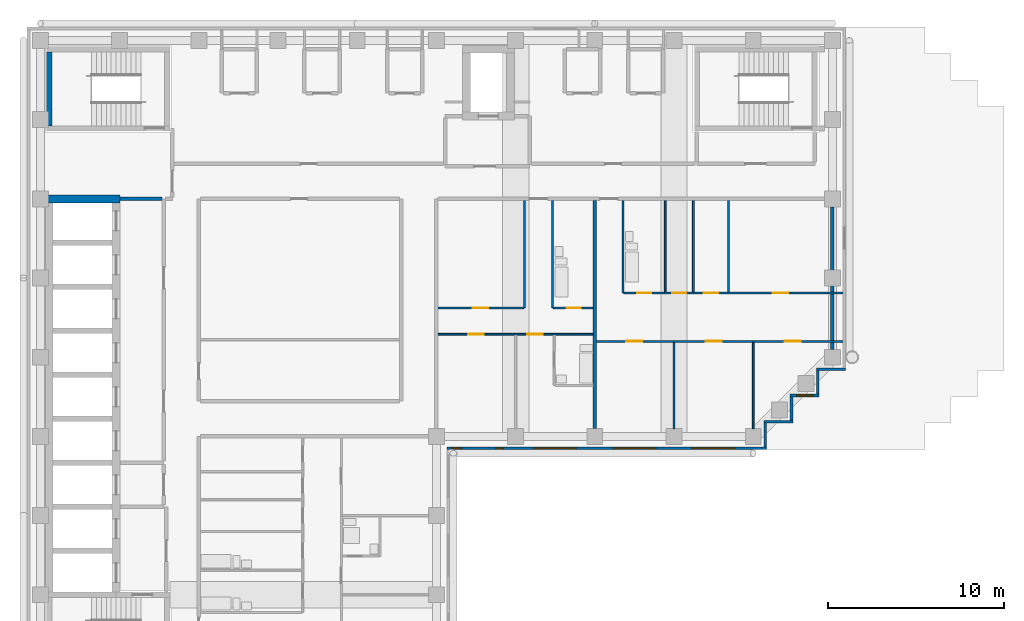
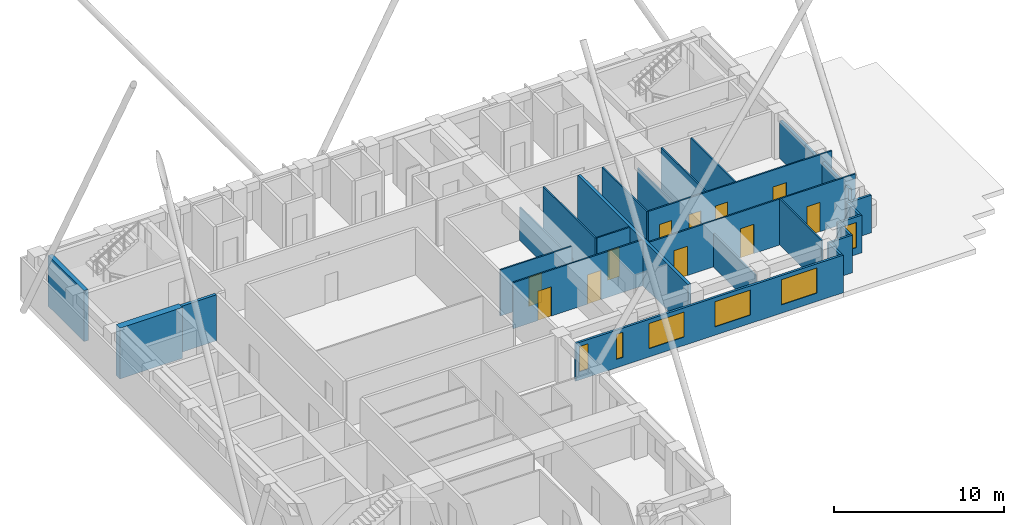
# One storey, part 4 of 8: 25 walls, 11 doors, 6 windows, 17 openings.
"""IFC4 building model written with IfcOpenShell, lengths in metres."""

from ifc_helpers import new_model, si_unit, direction, frame, frame_2d, origin, place, context, subcontext, project, spatial, rectangle, extrude, material, layer, layer_set, type_object, element, fill, save


model = new_model("IFC4")

# Units and contexts
model_context = context("Model", 3, precision=1e-05, world=origin(), true_north=direction((0.0, 1.0)))
body_context = subcontext(model_context, "Body", "Model", "MODEL_VIEW")
ifc_project = project(units=[si_unit("LENGTHUNIT", "METRE"), si_unit("AREAUNIT", "SQUARE_METRE"), si_unit("VOLUMEUNIT", "CUBIC_METRE"), si_unit("PLANEANGLEUNIT", "RADIAN"), si_unit("MASSUNIT", "GRAM", prefix="KILO")], contexts=[model_context])

# Site, building, storey
site_placement = place(None, origin())
site = spatial("IfcSite", under=ifc_project, at=site_placement, CompositionType="ELEMENT")
building_placement = place(site_placement, origin())
building = spatial("IfcBuilding", under=site, at=building_placement, Name="Firuza Court", CompositionType="ELEMENT")
storey_placement = place(building_placement, frame((0.0, 0.0, 233.0)))
storey = spatial("IfcBuildingStorey", under=building, at=storey_placement, Name="L60", CompositionType="ELEMENT", Elevation=233.0)

# Walls
ifc_material_1 = material(Name="Moisture-resistant gypsum board partition")
ifc_layer_1 = layer(ifc_material_1, 0.10009765625)
ifc_layer_set_1 = layer_set([ifc_layer_1], Name="Moisture-resistant gypsum board partition")
wall_type_1 = type_object("IfcWallType", Name="Bathroom partition 100", PredefinedType="PLUMBINGWALL", material=ifc_layer_set_1)
wall_1_placement = place(storey_placement, frame((29.10009765625, 43.300048828125, 0.0), z_axis=(0.0, 0.0, 1.0), x_axis=(0.0, 1.0, 0.0)))
element("IfcWall", 1, at=wall_1_placement, inside=storey, type_object=wall_type_1, Name="Bathroom partition 100 L60", PredefinedType="PLUMBINGWALL", context=body_context, shape_type="SweptSolid", body=[
    extrude(rectangle(XDim=6.099853515625, YDim=0.10009765625, at=frame_2d((3.0498046875, 0.0))), origin(), (0.0, 0.0, 1.0), 3.300048828125),
])
wall_2_placement = place(storey_placement, frame((33.10009765625, 44.14990234375, 0.0), z_axis=(0.0, 0.0, 1.0), x_axis=(0.0, 1.0, 0.0)))
element("IfcWall", 2, at=wall_2_placement, inside=storey, type_object=wall_type_1, Name="Bathroom partition 100 L60", PredefinedType="PLUMBINGWALL", context=body_context, shape_type="SweptSolid", body=[
    extrude(rectangle(XDim=5.25, YDim=0.10009765625, at=frame_2d((2.625, 0.0))), origin(), (0.0, 0.0, 1.0), 3.300048828125),
])
wall_3_placement = place(storey_placement, frame((35.5, 44.199951171875, 0.0), z_axis=(0.0, 0.0, 1.0), x_axis=(0.0, 1.0, 0.0)))
element("IfcWall", 3, at=wall_3_placement, inside=storey, type_object=wall_type_1, Name="Bathroom partition 100 L60", PredefinedType="PLUMBINGWALL", context=body_context, shape_type="SweptSolid", body=[
    extrude(rectangle(XDim=5.199951171875, YDim=0.10009765625, at=frame_2d((2.60009765625, 0.0))), origin(), (0.0, 0.0, 1.0), 2.39990234375),
])
ifc_material_2 = material(Name="Concrete C50/60", Category="concrete")
ifc_layer_2 = layer(ifc_material_2, 0.300048828125)
ifc_layer_set_2 = layer_set([ifc_layer_2], Name="Concrete C50/60")
wall_type_2 = type_object("IfcWallType", Name="Core wall 300 C50/60", PredefinedType="SHEAR", material=ifc_layer_set_2)
wall_4_placement = place(storey_placement, frame((0.5, 53.64990234375, -0.35009765625), z_axis=(0.0, 0.0, 1.0), x_axis=(0.0, 1.0, 0.0)))
element("IfcWall", 4, at=wall_4_placement, inside=storey, type_object=wall_type_2, Name="Core wall stair L60", PredefinedType="SHEAR", context=body_context, shape_type="SweptSolid", body=[
    extrude(rectangle(XDim=4.2001953125, YDim=0.300048828125, at=frame_2d((2.10009765625, 0.0))), origin(), (0.0, 0.0, 1.0), 3.650146484375),
])
ifc_layer_3 = layer(ifc_material_2, 0.449951171875)
ifc_layer_set_3 = layer_set([ifc_layer_3], Name="Concrete C50/60")
wall_type_3 = type_object("IfcWallType", Name="Core wall 450 C50/60", PredefinedType="SHEAR", material=ifc_layer_set_3)
wall_5_placement = place(storey_placement, frame((0.27490234375, 49.5, -0.35009765625), z_axis=(0.0, 0.0, 1.0), x_axis=(1.0, 0.0, 0.0)))
element("IfcWall", 5, at=wall_5_placement, inside=storey, type_object=wall_type_3, Name="Core wall lift shaft L60", PredefinedType="SHEAR", context=body_context, shape_type="SweptSolid", body=[
    extrude(rectangle(XDim=4.25, YDim=0.449951171875, at=frame_2d((2.125, 0.0))), origin(), (0.0, 0.0, 1.0), 3.650146484375),
])
ifc_material_3 = material(Name="Timber stud partition, plasterboard both sides", Category="wood")
ifc_layer_4 = layer(ifc_material_3, 0.10009765625)
ifc_layer_set_4 = layer_set([ifc_layer_4], Name="Timber stud partition, plasterboard both sides")
wall_type_4 = type_object("IfcWallType", Name="Partition wall 100", PredefinedType="PARTITIONING", material=ifc_layer_set_4)
wall_6_placement = place(storey_placement, frame((36.0, 36.449951171875, 0.0), z_axis=(0.0, 0.0, 1.0), x_axis=(0.0, 1.0, 0.0)))
element("IfcWall", 6, at=wall_6_placement, inside=storey, type_object=wall_type_4, Name="Partition wall 100 L60", PredefinedType="PARTITIONING", context=body_context, shape_type="SweptSolid", body=[
    extrude(rectangle(XDim=4.900146484375, YDim=0.10009765625, at=frame_2d((2.4501953125, 0.0))), origin(), (0.0, 0.0, 1.0), 2.39990234375),
])
wall_7_placement = place(storey_placement, frame((40.5, 36.449951171875, 0.0), z_axis=(0.0, 0.0, 1.0), x_axis=(0.0, 1.0, 0.0)))
element("IfcWall", 7, at=wall_7_placement, inside=storey, type_object=wall_type_4, Name="Partition wall 100 L60", PredefinedType="PARTITIONING", context=body_context, shape_type="SweptSolid", body=[
    extrude(rectangle(XDim=4.900146484375, YDim=0.10009765625, at=frame_2d((2.4501953125, 0.0))), origin(), (0.0, 0.0, 1.0), 3.300048828125),
])

# Wall, openings, doors
wall_8_placement = place(storey_placement, frame((31.60009765625, 41.39990234375, 0.0), z_axis=(0.0, 0.0, 1.0), x_axis=(1.0, 0.0, 0.0)))
wall_8 = element("IfcWall", 8, at=wall_8_placement, inside=storey, type_object=wall_type_4, Name="Partition wall 100 L60", PredefinedType="PARTITIONING", context=body_context, shape_type="SweptSolid", body=[
    extrude(rectangle(XDim=14.0, YDim=0.10009765625, at=frame_2d((7.0, 0.0))), origin(), (0.0, 0.0, 1.0), 3.300048828125),
])
opening_1_placement = place(wall_8_placement, frame((1.699951171875, 0.0, 0.0)))
opening_1 = element("IfcOpeningElement", 9, at=opening_1_placement, cuts=wall_8, Name="Opening D60026", PredefinedType="OPENING", context=body_context, shape_type="SweptSolid", body=[
    extrude(rectangle(XDim=0.89990234375, YDim=2.10009765625, at=frame_2d((0.449951171875, 1.050048828125))), frame((0.0, 0.06201171875, 0.0), z_axis=(0.0, -1.0, 0.0), x_axis=(1.0, 0.0, 0.0)), (0.0, 0.0, 1.0), 0.1240234375),
])
opening_2_placement = place(wall_8_placement, frame((6.199951171875, 0.0, 0.0)))
opening_2 = element("IfcOpeningElement", 10, at=opening_2_placement, cuts=wall_8, Name="Opening D60027", PredefinedType="OPENING", context=body_context, shape_type="SweptSolid", body=[
    extrude(rectangle(XDim=0.89990234375, YDim=2.10009765625, at=frame_2d((0.449951171875, 1.050048828125))), frame((0.0, 0.06201171875, 0.0), z_axis=(0.0, -1.0, 0.0), x_axis=(1.0, 0.0, 0.0)), (0.0, 0.0, 1.0), 0.1240234375),
])
opening_3_placement = place(wall_8_placement, frame((10.699951171875, 0.0, 0.0)))
opening_3 = element("IfcOpeningElement", 11, at=opening_3_placement, cuts=wall_8, Name="Opening D60028", PredefinedType="OPENING", context=body_context, shape_type="SweptSolid", body=[
    extrude(rectangle(XDim=0.89990234375, YDim=2.10009765625, at=frame_2d((0.449951171875, 1.050048828125))), frame((0.0, 0.06201171875, 0.0), z_axis=(0.0, -1.0, 0.0), x_axis=(1.0, 0.0, 0.0)), (0.0, 0.0, 1.0), 0.1240234375),
])
ifc_material_4 = material(Name="Timber door leaf in hardwood frame", Category="wood")
door_type_1 = type_object("IfcDoorType", Name="Room door 900", OperationType="SINGLE_SWING_LEFT", PredefinedType="DOOR", material=ifc_material_4)
door_1_placement = place(opening_1_placement, frame((0.89990234375, 0.0, 0.0), z_axis=(0.0, 0.0, 1.0), x_axis=(-1.0, 0.0, 0.0)))
door_1 = element("IfcDoor", 12, at=door_1_placement, inside=storey, type_object=door_type_1, Name="Living room door", OperationType="SINGLE_SWING_RIGHT", OverallHeight=2.10009765625, OverallWidth=0.89990234375, PredefinedType="DOOR", context=body_context, shape_type="SweptSolid", body=[
    extrude(rectangle(XDim=0.89990234375, YDim=2.10009765625, at=frame_2d((0.449951171875, 1.050048828125))), frame((0.0, 0.02490234375, 0.0), z_axis=(0.0, -1.0, 0.0), x_axis=(1.0, 0.0, 0.0)), (0.0, 0.0, 1.0), 0.050048828125),
])
fill(opening_1, door_1)
door_2_placement = place(opening_2_placement, frame((0.89990234375, 0.0, 0.0), z_axis=(0.0, 0.0, 1.0), x_axis=(-1.0, 0.0, 0.0)))
door_2 = element("IfcDoor", 13, at=door_2_placement, inside=storey, type_object=door_type_1, Name="Bedroom door", OperationType="SINGLE_SWING_RIGHT", OverallHeight=2.10009765625, OverallWidth=0.89990234375, PredefinedType="DOOR", context=body_context, shape_type="SweptSolid", body=[
    extrude(rectangle(XDim=0.89990234375, YDim=2.10009765625, at=frame_2d((0.449951171875, 1.050048828125))), frame((0.0, 0.02490234375, 0.0), z_axis=(0.0, -1.0, 0.0), x_axis=(1.0, 0.0, 0.0)), (0.0, 0.0, 1.0), 0.050048828125),
])
fill(opening_2, door_2)
door_3_placement = place(opening_3_placement, frame((0.89990234375, 0.0, 0.0), z_axis=(0.0, 0.0, 1.0), x_axis=(-1.0, 0.0, 0.0)))
door_3 = element("IfcDoor", 14, at=door_3_placement, inside=storey, type_object=door_type_1, Name="Study door", OperationType="SINGLE_SWING_RIGHT", OverallHeight=2.10009765625, OverallWidth=0.89990234375, PredefinedType="DOOR", context=body_context, shape_type="SweptSolid", body=[
    extrude(rectangle(XDim=0.89990234375, YDim=2.10009765625, at=frame_2d((0.449951171875, 1.050048828125))), frame((0.0, 0.02490234375, 0.0), z_axis=(0.0, -1.0, 0.0), x_axis=(1.0, 0.0, 0.0)), (0.0, 0.0, 1.0), 0.050048828125),
])
fill(opening_3, door_3)

wall_9_placement = place(storey_placement, frame((22.60009765625, 41.800048828125, 0.0), z_axis=(0.0, 0.0, 1.0), x_axis=(1.0, 0.0, 0.0)))
wall_9 = element("IfcWall", 15, at=wall_9_placement, inside=storey, type_object=wall_type_4, Name="Partition wall 100 L60", PredefinedType="PARTITIONING", context=body_context, shape_type="SweptSolid", body=[
    extrude(rectangle(XDim=8.7998046875, YDim=0.10009765625, at=frame_2d((4.39990234375, 0.0))), origin(), (0.0, 0.0, 1.0), 3.300048828125),
])
opening_4_placement = place(wall_9_placement, frame((1.699951171875, 0.0, 0.0)))
opening_4 = element("IfcOpeningElement", 16, at=opening_4_placement, cuts=wall_9, Name="Opening D60029", PredefinedType="OPENING", context=body_context, shape_type="SweptSolid", body=[
    extrude(rectangle(XDim=0.89990234375, YDim=2.10009765625, at=frame_2d((0.449951171875, 1.050048828125))), frame((0.0, 0.06201171875, 0.0), z_axis=(0.0, -1.0, 0.0), x_axis=(1.0, 0.0, 0.0)), (0.0, 0.0, 1.0), 0.1240234375),
])
opening_5_placement = place(wall_9_placement, frame((5.050048828125, 0.0, 0.0)))
opening_5 = element("IfcOpeningElement", 17, at=opening_5_placement, cuts=wall_9, Name="Opening D60030", PredefinedType="OPENING", context=body_context, shape_type="SweptSolid", body=[
    extrude(rectangle(XDim=0.89990234375, YDim=2.10009765625, at=frame_2d((0.449951171875, 1.050048828125))), frame((0.0, 0.06201171875, 0.0), z_axis=(0.0, -1.0, 0.0), x_axis=(1.0, 0.0, 0.0)), (0.0, 0.0, 1.0), 0.1240234375),
])
door_4_placement = place(opening_4_placement, frame((0.89990234375, 0.0, 0.0), z_axis=(0.0, 0.0, 1.0), x_axis=(-1.0, 0.0, 0.0)))
door_4 = element("IfcDoor", 18, at=door_4_placement, inside=storey, type_object=door_type_1, Name="Living room door", OperationType="SINGLE_SWING_RIGHT", OverallHeight=2.10009765625, OverallWidth=0.89990234375, PredefinedType="DOOR", context=body_context, shape_type="SweptSolid", body=[
    extrude(rectangle(XDim=0.89990234375, YDim=2.10009765625, at=frame_2d((0.449951171875, 1.050048828125))), frame((0.0, 0.02490234375, 0.0), z_axis=(0.0, -1.0, 0.0), x_axis=(1.0, 0.0, 0.0)), (0.0, 0.0, 1.0), 0.050048828125),
])
fill(opening_4, door_4)
door_5_placement = place(opening_5_placement, frame((0.89990234375, 0.0, 0.0), z_axis=(0.0, 0.0, 1.0), x_axis=(-1.0, 0.0, 0.0)))
door_5 = element("IfcDoor", 19, at=door_5_placement, inside=storey, type_object=door_type_1, Name="Bedroom door", OperationType="SINGLE_SWING_RIGHT", OverallHeight=2.10009765625, OverallWidth=0.89990234375, PredefinedType="DOOR", context=body_context, shape_type="SweptSolid", body=[
    extrude(rectangle(XDim=0.89990234375, YDim=2.10009765625, at=frame_2d((0.449951171875, 1.050048828125))), frame((0.0, 0.02490234375, 0.0), z_axis=(0.0, -1.0, 0.0), x_axis=(1.0, 0.0, 0.0)), (0.0, 0.0, 1.0), 0.050048828125),
])
fill(opening_5, door_5)

# Wall, opening, door
wall_10_placement = place(storey_placement, frame((22.60009765625, 43.300048828125, 0.0), z_axis=(0.0, 0.0, 1.0), x_axis=(1.0, 0.0, 0.0)))
wall_10 = element("IfcWall", 20, at=wall_10_placement, inside=storey, type_object=wall_type_4, Name="Partition wall 100 L60", PredefinedType="PARTITIONING", context=body_context, shape_type="SweptSolid", body=[
    extrude(rectangle(XDim=4.849853515625, YDim=0.10009765625, at=frame_2d((2.4248046875, 0.0))), origin(), (0.0, 0.0, 1.0), 3.300048828125),
])
opening_6_placement = place(wall_10_placement, frame((1.949951171875, 0.0, 0.0)))
opening_6 = element("IfcOpeningElement", 21, at=opening_6_placement, cuts=wall_10, Name="Opening D60031", PredefinedType="OPENING", context=body_context, shape_type="SweptSolid", body=[
    extrude(rectangle(XDim=0.89990234375, YDim=2.10009765625, at=frame_2d((0.449951171875, 1.050048828125))), frame((0.0, 0.06201171875, 0.0), z_axis=(0.0, -1.0, 0.0), x_axis=(1.0, 0.0, 0.0)), (0.0, 0.0, 1.0), 0.1240234375),
])
door_6_placement = place(opening_6_placement, origin())
door_6 = element("IfcDoor", 22, at=door_6_placement, inside=storey, type_object=door_type_1, Name="Kitchen door", OperationType="SINGLE_SWING_LEFT", OverallHeight=2.10009765625, OverallWidth=0.89990234375, PredefinedType="DOOR", context=body_context, shape_type="SweptSolid", body=[
    extrude(rectangle(XDim=0.89990234375, YDim=2.10009765625, at=frame_2d((0.449951171875, 1.050048828125))), frame((0.0, 0.02490234375, 0.0), z_axis=(0.0, -1.0, 0.0), x_axis=(1.0, 0.0, 0.0)), (0.0, 0.0, 1.0), 0.050048828125),
])
fill(opening_6, door_6)

# Wall
wall_11_placement = place(storey_placement, frame((27.5, 43.300048828125, 0.0), z_axis=(0.0, 0.0, 1.0), x_axis=(0.0, 1.0, 0.0)))
element("IfcWall", 23, at=wall_11_placement, inside=storey, type_object=wall_type_4, Name="Partition wall 100 L60", PredefinedType="PARTITIONING", context=body_context, shape_type="SweptSolid", body=[
    extrude(rectangle(XDim=6.099853515625, YDim=0.10009765625, at=frame_2d((3.0498046875, 0.0))), origin(), (0.0, 0.0, 1.0), 2.39990234375),
])

# Wall, opening, door
wall_12_placement = place(storey_placement, frame((29.14990234375, 43.300048828125, 0.0), z_axis=(0.0, 0.0, 1.0), x_axis=(1.0, 0.0, 0.0)))
wall_12 = element("IfcWall", 24, at=wall_12_placement, inside=storey, type_object=wall_type_4, Name="Partition wall 100 L60", PredefinedType="PARTITIONING", context=body_context, shape_type="SweptSolid", body=[
    extrude(rectangle(XDim=2.25, YDim=0.10009765625, at=frame_2d((1.125, 0.0))), origin(), (0.0, 0.0, 1.0), 3.300048828125),
])
opening_7_placement = place(wall_12_placement, frame((0.75, 0.0, 0.0)))
opening_7 = element("IfcOpeningElement", 25, at=opening_7_placement, cuts=wall_12, Name="Opening D60032", PredefinedType="OPENING", context=body_context, shape_type="SweptSolid", body=[
    extrude(rectangle(XDim=0.800048828125, YDim=2.10009765625, at=frame_2d((0.39990234375, 1.050048828125))), frame((0.0, 0.06201171875, 0.0), z_axis=(0.0, -1.0, 0.0), x_axis=(1.0, 0.0, 0.0)), (0.0, 0.0, 1.0), 0.1240234375),
])
ifc_material_5 = material(Name="Timber door leaf in hardwood frame", Category="wood")
door_type_2 = type_object("IfcDoorType", Name="Bathroom door 800", OperationType="SINGLE_SWING_LEFT", PredefinedType="DOOR", material=ifc_material_5)
door_7_placement = place(opening_7_placement, origin())
door_7 = element("IfcDoor", 26, at=door_7_placement, inside=storey, type_object=door_type_2, Name="Bathroom door", OperationType="SINGLE_SWING_LEFT", OverallHeight=2.10009765625, OverallWidth=0.800048828125, PredefinedType="DOOR", context=body_context, shape_type="SweptSolid", body=[
    extrude(rectangle(XDim=0.800048828125, YDim=2.10009765625, at=frame_2d((0.39990234375, 1.050048828125))), frame((0.0, 0.02490234375, 0.0), z_axis=(0.0, -1.0, 0.0), x_axis=(1.0, 0.0, 0.0)), (0.0, 0.0, 1.0), 0.050048828125),
])
fill(opening_7, door_7)

# Wall, openings, doors
wall_13_placement = place(storey_placement, frame((33.14990234375, 44.14990234375, 0.0), z_axis=(0.0, 0.0, 1.0), x_axis=(1.0, 0.0, 0.0)))
wall_13 = element("IfcWall", 27, at=wall_13_placement, inside=storey, type_object=wall_type_4, Name="Partition wall 100 L60", PredefinedType="PARTITIONING", context=body_context, shape_type="SweptSolid", body=[
    extrude(rectangle(XDim=12.4501953125, YDim=0.10009765625, at=frame_2d((6.22509765625, 0.0))), origin(), (0.0, 0.0, 1.0), 3.300048828125),
])
opening_8_placement = place(wall_13_placement, frame((0.75, 0.0, 0.0)))
opening_8 = element("IfcOpeningElement", 28, at=opening_8_placement, cuts=wall_13, Name="Opening D60033", PredefinedType="OPENING", context=body_context, shape_type="SweptSolid", body=[
    extrude(rectangle(XDim=0.800048828125, YDim=2.10009765625, at=frame_2d((0.39990234375, 1.050048828125))), frame((0.0, 0.06201171875, 0.0), z_axis=(0.0, -1.0, 0.0), x_axis=(1.0, 0.0, 0.0)), (0.0, 0.0, 1.0), 0.1240234375),
])
opening_9_placement = place(wall_13_placement, frame((8.449951171875, 0.0, 0.0)))
opening_9 = element("IfcOpeningElement", 29, at=opening_9_placement, cuts=wall_13, Name="Opening D60034", PredefinedType="OPENING", context=body_context, shape_type="SweptSolid", body=[
    extrude(rectangle(XDim=0.89990234375, YDim=2.10009765625, at=frame_2d((0.449951171875, 1.050048828125))), frame((0.0, 0.06201171875, 0.0), z_axis=(0.0, -1.0, 0.0), x_axis=(1.0, 0.0, 0.0)), (0.0, 0.0, 1.0), 0.1240234375),
])
opening_10_placement = place(wall_13_placement, frame((2.75, 0.0, 0.0)))
opening_10 = element("IfcOpeningElement", 30, at=opening_10_placement, cuts=wall_13, Name="Opening D60035", PredefinedType="OPENING", context=body_context, shape_type="SweptSolid", body=[
    extrude(rectangle(XDim=0.800048828125, YDim=2.10009765625, at=frame_2d((0.39990234375, 1.050048828125))), frame((0.0, 0.06201171875, 0.0), z_axis=(0.0, -1.0, 0.0), x_axis=(1.0, 0.0, 0.0)), (0.0, 0.0, 1.0), 0.1240234375),
])
opening_11_placement = place(wall_13_placement, frame((4.550048828125, 0.0, 0.0)))
opening_11 = element("IfcOpeningElement", 31, at=opening_11_placement, cuts=wall_13, Name="Opening D60036", PredefinedType="OPENING", context=body_context, shape_type="SweptSolid", body=[
    extrude(rectangle(XDim=0.800048828125, YDim=2.10009765625, at=frame_2d((0.39990234375, 1.050048828125))), frame((0.0, 0.06201171875, 0.0), z_axis=(0.0, -1.0, 0.0), x_axis=(1.0, 0.0, 0.0)), (0.0, 0.0, 1.0), 0.1240234375),
])
door_8_placement = place(opening_8_placement, origin())
door_8 = element("IfcDoor", 32, at=door_8_placement, inside=storey, type_object=door_type_2, Name="Bathroom door", OperationType="SINGLE_SWING_LEFT", OverallHeight=2.10009765625, OverallWidth=0.800048828125, PredefinedType="DOOR", context=body_context, shape_type="SweptSolid", body=[
    extrude(rectangle(XDim=0.800048828125, YDim=2.10009765625, at=frame_2d((0.39990234375, 1.050048828125))), frame((0.0, 0.02490234375, 0.0), z_axis=(0.0, -1.0, 0.0), x_axis=(1.0, 0.0, 0.0)), (0.0, 0.0, 1.0), 0.050048828125),
])
fill(opening_8, door_8)
ifc_material_6 = material(Name="Timber door leaf in hardwood frame", Category="wood")
door_type_3 = type_object("IfcDoorType", Name="Room door 800", OperationType="SINGLE_SWING_LEFT", PredefinedType="DOOR", material=ifc_material_6)
door_9_placement = place(opening_10_placement, origin())
door_9 = element("IfcDoor", 33, at=door_9_placement, inside=storey, type_object=door_type_3, Name="Store door", OperationType="SINGLE_SWING_LEFT", OverallHeight=2.10009765625, OverallWidth=0.800048828125, PredefinedType="DOOR", context=body_context, shape_type="SweptSolid", body=[
    extrude(rectangle(XDim=0.800048828125, YDim=2.10009765625, at=frame_2d((0.39990234375, 1.050048828125))), frame((0.0, 0.02490234375, 0.0), z_axis=(0.0, -1.0, 0.0), x_axis=(1.0, 0.0, 0.0)), (0.0, 0.0, 1.0), 0.050048828125),
])
fill(opening_10, door_9)
door_10_placement = place(opening_11_placement, origin())
door_10 = element("IfcDoor", 34, at=door_10_placement, inside=storey, type_object=door_type_3, Name="Utility room door", OperationType="SINGLE_SWING_LEFT", OverallHeight=2.10009765625, OverallWidth=0.800048828125, PredefinedType="DOOR", context=body_context, shape_type="SweptSolid", body=[
    extrude(rectangle(XDim=0.800048828125, YDim=2.10009765625, at=frame_2d((0.39990234375, 1.050048828125))), frame((0.0, 0.02490234375, 0.0), z_axis=(0.0, -1.0, 0.0), x_axis=(1.0, 0.0, 0.0)), (0.0, 0.0, 1.0), 0.050048828125),
])
fill(opening_11, door_10)
door_11_placement = place(opening_9_placement, origin())
door_11 = element("IfcDoor", 35, at=door_11_placement, inside=storey, type_object=door_type_1, Name="Kitchen door", OperationType="SINGLE_SWING_LEFT", OverallHeight=2.10009765625, OverallWidth=0.89990234375, PredefinedType="DOOR", context=body_context, shape_type="SweptSolid", body=[
    extrude(rectangle(XDim=0.89990234375, YDim=2.10009765625, at=frame_2d((0.449951171875, 1.050048828125))), frame((0.0, 0.02490234375, 0.0), z_axis=(0.0, -1.0, 0.0), x_axis=(1.0, 0.0, 0.0)), (0.0, 0.0, 1.0), 0.050048828125),
])
fill(opening_9, door_11)

# Walls
for number, where, z_axis, x_axis, name in (
    (36, (37.10009765625, 44.199951171875, 0.0), (0.0, 0.0, 1.0), (0.0, 1.0, 0.0), "Partition wall 100 L60"),
    (37, (39.10009765625, 44.199951171875, 0.0), (0.0, 0.0, 1.0), (0.0, 1.0, 0.0), "Partition wall 100 L60"),
):
    element("IfcWall", number, at=place(storey_placement, frame(where, z_axis=z_axis, x_axis=x_axis)), inside=storey, type_object=wall_type_4, Name=name, PredefinedType="PARTITIONING", context=body_context, shape_type="SweptSolid", body=[
        extrude(rectangle(XDim=5.199951171875, YDim=0.10009765625, at=frame_2d((2.60009765625, 0.0))), origin(), (0.0, 0.0, 1.0), 3.300048828125),
    ])
ifc_material_7 = material(Name="Blockwork, plastered both sides", Category="masonry")
ifc_layer_5 = layer(ifc_material_7, 0.199951171875)
ifc_layer_set_5 = layer_set([ifc_layer_5], Name="Blockwork, plastered both sides")
wall_type_5 = type_object("IfcWallType", Name="Party wall 200", PredefinedType="PARTITIONING", material=ifc_layer_set_5)
wall_14_placement = place(storey_placement, frame((31.5, 36.449951171875, 0.0), z_axis=(0.0, 0.0, 1.0), x_axis=(0.0, 1.0, 0.0)))
element("IfcWall", 38, at=wall_14_placement, inside=storey, type_object=wall_type_5, Name="Party wall 200 L60", PredefinedType="PARTITIONING", context=body_context, shape_type="SweptSolid", body=[
    extrude(rectangle(XDim=12.949951171875, YDim=0.199951171875, at=frame_2d((6.47509765625, 0.0))), origin(), (0.0, 0.0, 1.0), 3.300048828125),
])
wall_15_placement = place(storey_placement, frame((45.0, 40.949951171875, 0.0), z_axis=(0.0, 0.0, 1.0), x_axis=(0.0, 1.0, 0.0)))
element("IfcWall", 39, at=wall_15_placement, inside=storey, type_object=wall_type_5, Name="Party wall 200 L60", PredefinedType="PARTITIONING", context=body_context, shape_type="SweptSolid", body=[
    extrude(rectangle(XDim=8.10009765625, YDim=0.199951171875, at=frame_2d((4.050048828125, 0.0))), origin(), (0.0, 0.0, 1.0), 2.699951171875),
])

# Wall, openings, windows
ifc_material_8 = material(Name="Ceramic tile", Category="ceramic")
ifc_layer_6 = layer(ifc_material_8, 0.02001953125)
ifc_material_9 = material(Name="Mineral wool insulation", Category="insulation")
ifc_layer_7 = layer(ifc_material_9, 0.050048828125)
ifc_material_10 = material(Name="Concrete C40/50 precast", Category="concrete")
ifc_layer_8 = layer(ifc_material_10, 0.080078125)
ifc_layer_set_6 = layer_set([ifc_layer_6, ifc_layer_7, ifc_layer_8], Name="Concrete C40/50 precast")
wall_type_6 = type_object("IfcWallType", Name="Precast cladding wall with turquoise TILE PANEL face 150", PredefinedType="STANDARD", material=ifc_layer_set_6)
wall_16_placement = place(storey_placement, frame((23.10009765625, 35.324951171875, 0.0), z_axis=(0.0, 0.0, 1.0), x_axis=(1.0, 0.0, 0.0)))
wall_16 = element("IfcWall", 40, at=wall_16_placement, inside=storey, type_object=wall_type_6, Name="Facade wall L60 S", PredefinedType="STANDARD", context=body_context, shape_type="SweptSolid", body=[
    extrude(rectangle(XDim=18.14990234375, YDim=0.14990234375, at=frame_2d((9.074951171875, 0.0))), origin(), (0.0, 0.0, 1.0), 2.699951171875),
])
opening_12_placement = place(wall_16_placement, frame((0.23876953125, 0.0, 0.60009765625)))
opening_12 = element("IfcOpeningElement", 41, at=opening_12_placement, cuts=wall_16, Name="Opening W4", PredefinedType="OPENING", context=body_context, shape_type="SweptSolid", body=[
    extrude(rectangle(XDim=0.60009765625, YDim=1.800048828125, at=frame_2d((0.300048828125, 0.89990234375))), frame((0.0, 0.0869140625, 0.0), z_axis=(0.0, -1.0, 0.0), x_axis=(1.0, 0.0, 0.0)), (0.0, 0.0, 1.0), 0.173828125),
])
opening_13_placement = place(wall_16_placement, frame((2.745361328125, 0.0, 0.60009765625)))
opening_13 = element("IfcOpeningElement", 42, at=opening_13_placement, cuts=wall_16, Name="Opening W5", PredefinedType="OPENING", context=body_context, shape_type="SweptSolid", body=[
    extrude(rectangle(XDim=0.449951171875, YDim=1.800048828125, at=frame_2d((0.22509765625, 0.89990234375))), frame((0.0, 0.0869140625, 0.0), z_axis=(0.0, -1.0, 0.0), x_axis=(1.0, 0.0, 0.0)), (0.0, 0.0, 1.0), 0.173828125),
])
opening_14_placement = place(wall_16_placement, frame((4.949951171875, 0.0, 0.60009765625)))
opening_14 = element("IfcOpeningElement", 43, at=opening_14_placement, cuts=wall_16, Name="Opening W1", PredefinedType="OPENING", context=body_context, shape_type="SweptSolid", body=[
    extrude(rectangle(XDim=2.39990234375, YDim=1.800048828125, at=frame_2d((1.199951171875, 0.89990234375))), frame((0.0, 0.0869140625, 0.0), z_axis=(0.0, -1.0, 0.0), x_axis=(1.0, 0.0, 0.0)), (0.0, 0.0, 1.0), 0.173828125),
])
opening_15_placement = place(wall_16_placement, frame((9.449951171875, 0.0, 0.60009765625)))
opening_15 = element("IfcOpeningElement", 44, at=opening_15_placement, cuts=wall_16, Name="Opening W1", PredefinedType="OPENING", context=body_context, shape_type="SweptSolid", body=[
    extrude(rectangle(XDim=2.39990234375, YDim=1.800048828125, at=frame_2d((1.199951171875, 0.89990234375))), frame((0.0, 0.0869140625, 0.0), z_axis=(0.0, -1.0, 0.0), x_axis=(1.0, 0.0, 0.0)), (0.0, 0.0, 1.0), 0.173828125),
])
opening_16_placement = place(wall_16_placement, frame((13.949951171875, 0.0, 0.60009765625)))
opening_16 = element("IfcOpeningElement", 45, at=opening_16_placement, cuts=wall_16, Name="Opening W1", PredefinedType="OPENING", context=body_context, shape_type="SweptSolid", body=[
    extrude(rectangle(XDim=2.39990234375, YDim=1.800048828125, at=frame_2d((1.199951171875, 0.89990234375))), frame((0.0, 0.0869140625, 0.0), z_axis=(0.0, -1.0, 0.0), x_axis=(1.0, 0.0, 0.0)), (0.0, 0.0, 1.0), 0.173828125),
])
ifc_material_11 = material(Name="Aluminium frame, triple clear glazing", Category="aluminium")
window_type_1 = type_object("IfcWindowType", Name="Window W1 2400 x 1800", PartitioningType="SINGLE_PANEL", PredefinedType="WINDOW", material=ifc_material_11)
window_1_placement = place(opening_14_placement, origin())
window_1 = element("IfcWindow", 46, at=window_1_placement, inside=storey, type_object=window_type_1, Name="Window L60", OverallHeight=1.800048828125, OverallWidth=2.39990234375, PartitioningType="SINGLE_PANEL", PredefinedType="WINDOW", context=body_context, shape_type="SweptSolid", body=[
    extrude(rectangle(XDim=2.39990234375, YDim=1.800048828125, at=frame_2d((1.199951171875, 0.89990234375))), frame((0.0, 0.030029296875, 0.0), z_axis=(0.0, -1.0, 0.0), x_axis=(1.0, 0.0, 0.0)), (0.0, 0.0, 1.0), 0.06005859375),
])
fill(opening_14, window_1)
window_2_placement = place(opening_15_placement, origin())
window_2 = element("IfcWindow", 47, at=window_2_placement, inside=storey, type_object=window_type_1, Name="Window L60", OverallHeight=1.800048828125, OverallWidth=2.39990234375, PartitioningType="SINGLE_PANEL", PredefinedType="WINDOW", context=body_context, shape_type="SweptSolid", body=[
    extrude(rectangle(XDim=2.39990234375, YDim=1.800048828125, at=frame_2d((1.199951171875, 0.89990234375))), frame((0.0, 0.030029296875, 0.0), z_axis=(0.0, -1.0, 0.0), x_axis=(1.0, 0.0, 0.0)), (0.0, 0.0, 1.0), 0.06005859375),
])
fill(opening_15, window_2)
window_3_placement = place(opening_16_placement, origin())
window_3 = element("IfcWindow", 48, at=window_3_placement, inside=storey, type_object=window_type_1, Name="Window L60", OverallHeight=1.800048828125, OverallWidth=2.39990234375, PartitioningType="SINGLE_PANEL", PredefinedType="WINDOW", context=body_context, shape_type="SweptSolid", body=[
    extrude(rectangle(XDim=2.39990234375, YDim=1.800048828125, at=frame_2d((1.199951171875, 0.89990234375))), frame((0.0, 0.030029296875, 0.0), z_axis=(0.0, -1.0, 0.0), x_axis=(1.0, 0.0, 0.0)), (0.0, 0.0, 1.0), 0.06005859375),
])
fill(opening_16, window_3)
ifc_material_12 = material(Name="Aluminium frame, triple clear glazing", Category="aluminium")
window_type_2 = type_object("IfcWindowType", Name="Window W4 600 x 1800", PartitioningType="SINGLE_PANEL", PredefinedType="WINDOW", material=ifc_material_12)
window_4_placement = place(opening_12_placement, origin())
window_4 = element("IfcWindow", 49, at=window_4_placement, inside=storey, type_object=window_type_2, Name="Window L60", OverallHeight=1.800048828125, OverallWidth=0.60009765625, PartitioningType="SINGLE_PANEL", PredefinedType="WINDOW", context=body_context, shape_type="SweptSolid", body=[
    extrude(rectangle(XDim=0.60009765625, YDim=1.800048828125, at=frame_2d((0.300048828125, 0.89990234375))), frame((0.0, 0.030029296875, 0.0), z_axis=(0.0, -1.0, 0.0), x_axis=(1.0, 0.0, 0.0)), (0.0, 0.0, 1.0), 0.06005859375),
])
fill(opening_12, window_4)
ifc_material_13 = material(Name="Aluminium frame, triple clear glazing", Category="aluminium")
window_type_3 = type_object("IfcWindowType", Name="Window W5 450 x 1800", PartitioningType="SINGLE_PANEL", PredefinedType="WINDOW", material=ifc_material_13)
window_5_placement = place(opening_13_placement, origin())
window_5 = element("IfcWindow", 50, at=window_5_placement, inside=storey, type_object=window_type_3, Name="Window L60", OverallHeight=1.800048828125, OverallWidth=0.449951171875, PartitioningType="SINGLE_PANEL", PredefinedType="WINDOW", context=body_context, shape_type="SweptSolid", body=[
    extrude(rectangle(XDim=0.449951171875, YDim=1.800048828125, at=frame_2d((0.22509765625, 0.89990234375))), frame((0.0, 0.030029296875, 0.0), z_axis=(0.0, -1.0, 0.0), x_axis=(1.0, 0.0, 0.0)), (0.0, 0.0, 1.0), 0.06005859375),
])
fill(opening_13, window_5)

# Walls
wall_17_placement = place(storey_placement, frame((41.175048828125, 35.39990234375, 0.0), z_axis=(0.0, 0.0, 1.0), x_axis=(0.0, 1.0, 0.0)))
element("IfcWall", 51, at=wall_17_placement, inside=storey, type_object=wall_type_6, Name="Facade wall L60 E", PredefinedType="STANDARD", context=body_context, shape_type="SweptSolid", body=[
    extrude(rectangle(XDim=1.35009765625, YDim=0.14990234375, at=frame_2d((0.675048828125, 0.0))), origin(), (0.0, 0.0, 1.0), 2.699951171875),
])
wall_18_placement = place(storey_placement, frame((41.10009765625, 36.824951171875, 0.0), z_axis=(0.0, 0.0, 1.0), x_axis=(1.0, 0.0, 0.0)))
element("IfcWall", 52, at=wall_18_placement, inside=storey, type_object=wall_type_6, Name="Facade wall L60 S", PredefinedType="STANDARD", context=body_context, shape_type="SweptSolid", body=[
    extrude(rectangle(XDim=1.64990234375, YDim=0.14990234375, at=frame_2d((0.824951171875, 0.0))), origin(), (0.0, 0.0, 1.0), 2.699951171875),
])
wall_19_placement = place(storey_placement, frame((42.675048828125, 36.89990234375, 0.0), z_axis=(0.0, 0.0, 1.0), x_axis=(0.0, 1.0, 0.0)))
element("IfcWall", 53, at=wall_19_placement, inside=storey, type_object=wall_type_6, Name="Facade wall L60 E", PredefinedType="STANDARD", context=body_context, shape_type="SweptSolid", body=[
    extrude(rectangle(XDim=1.35009765625, YDim=0.14990234375, at=frame_2d((0.675048828125, 0.0))), origin(), (0.0, 0.0, 1.0), 2.699951171875),
])

# Wall, opening, window
wall_20_placement = place(storey_placement, frame((42.60009765625, 38.324951171875, 0.0), z_axis=(0.0, 0.0, 1.0), x_axis=(1.0, 0.0, 0.0)))
wall_20 = element("IfcWall", 54, at=wall_20_placement, inside=storey, type_object=wall_type_6, Name="Facade wall L60 S", PredefinedType="STANDARD", context=body_context, shape_type="SweptSolid", body=[
    extrude(rectangle(XDim=1.64990234375, YDim=0.14990234375, at=frame_2d((0.824951171875, 0.0))), origin(), (0.0, 0.0, 1.0), 2.699951171875),
])
opening_17_placement = place(wall_20_placement, frame((0.375, 0.0, 0.5)))
opening_17 = element("IfcOpeningElement", 55, at=opening_17_placement, cuts=wall_20, Name="Opening W3", PredefinedType="OPENING", context=body_context, shape_type="SweptSolid", body=[
    extrude(rectangle(XDim=0.89990234375, YDim=1.800048828125, at=frame_2d((0.449951171875, 0.89990234375))), frame((0.0, 0.0869140625, 0.0), z_axis=(0.0, -1.0, 0.0), x_axis=(1.0, 0.0, 0.0)), (0.0, 0.0, 1.0), 0.173828125),
])
ifc_material_14 = material(Name="Aluminium frame, triple clear glazing", Category="aluminium")
window_type_4 = type_object("IfcWindowType", Name="Window W3 900 x 1800", PartitioningType="SINGLE_PANEL", PredefinedType="WINDOW", material=ifc_material_14)
window_6_placement = place(opening_17_placement, origin())
window_6 = element("IfcWindow", 56, at=window_6_placement, inside=storey, type_object=window_type_4, Name="Window L60", OverallHeight=1.800048828125, OverallWidth=0.89990234375, PartitioningType="SINGLE_PANEL", PredefinedType="WINDOW", context=body_context, shape_type="SweptSolid", body=[
    extrude(rectangle(XDim=0.89990234375, YDim=1.800048828125, at=frame_2d((0.449951171875, 0.89990234375))), frame((0.0, 0.030029296875, 0.0), z_axis=(0.0, -1.0, 0.0), x_axis=(1.0, 0.0, 0.0)), (0.0, 0.0, 1.0), 0.06005859375),
])
fill(opening_17, window_6)

# Walls
wall_21_placement = place(storey_placement, frame((44.175048828125, 38.39990234375, 0.0), z_axis=(0.0, 0.0, 1.0), x_axis=(0.0, 1.0, 0.0)))
element("IfcWall", 57, at=wall_21_placement, inside=storey, type_object=wall_type_6, Name="Facade wall L60 E", PredefinedType="STANDARD", context=body_context, shape_type="SweptSolid", body=[
    extrude(rectangle(XDim=1.35009765625, YDim=0.14990234375, at=frame_2d((0.675048828125, 0.0))), origin(), (0.0, 0.0, 1.0), 2.699951171875),
])
wall_22_placement = place(storey_placement, frame((44.10009765625, 39.824951171875, 0.0), z_axis=(0.0, 0.0, 1.0), x_axis=(1.0, 0.0, 0.0)))
element("IfcWall", 58, at=wall_22_placement, inside=storey, type_object=wall_type_6, Name="Facade wall L60 S", PredefinedType="STANDARD", context=body_context, shape_type="SweptSolid", body=[
    extrude(rectangle(XDim=1.64990234375, YDim=0.14990234375, at=frame_2d((0.824951171875, 0.0))), origin(), (0.0, 0.0, 1.0), 2.699951171875),
])
ifc_material_15 = material(Name="Blockwork, fire-rated", Category="masonry")
ifc_layer_9 = layer(ifc_material_15, 0.199951171875)
ifc_layer_set_7 = layer_set([ifc_layer_9], Name="Blockwork, fire-rated")
wall_type_7 = type_object("IfcWallType", Name="Shaft wall 200", PredefinedType="PARTITIONING", material=ifc_layer_set_7)
wall_23_placement = place(storey_placement, frame((4.52490234375, 49.5, 0.0), z_axis=(0.0, 0.0, 1.0), x_axis=(1.0, 0.0, 0.0)))
element("IfcWall", 59, at=wall_23_placement, inside=storey, type_object=wall_type_7, Name="Shaft wall 200 L60", PredefinedType="PARTITIONING", context=body_context, shape_type="SweptSolid", body=[
    extrude(rectangle(XDim=2.375, YDim=0.199951171875, at=frame_2d((1.1875, 0.0))), origin(), (0.0, 0.0, 1.0), 3.300048828125),
])

save(model, "model.ifc")
